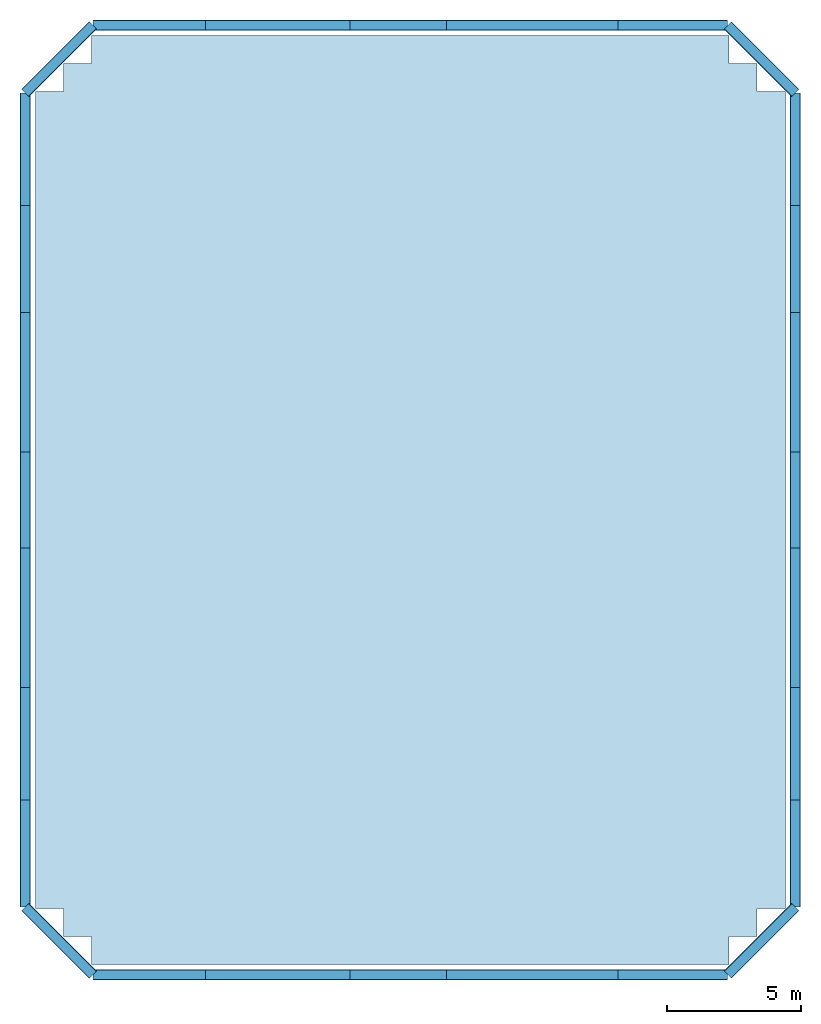
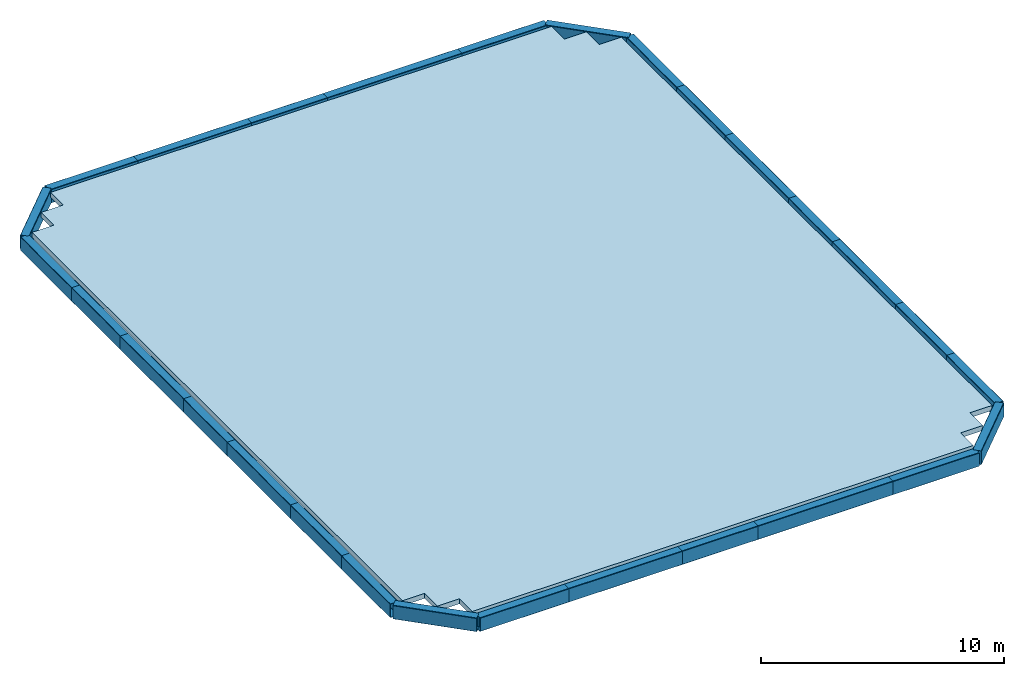
# One storey: 28 beams, 1 roof.
"""IFC4 building model written with IfcOpenShell, lengths in metres."""

from ifc_helpers import new_model, si_unit, derived_unit, direction, frame, origin, origin_2d, place, context, subcontext, project, spatial, polyline, hollow_rectangle, outline, extrude, material, layer, layer_set, material_profile, profile_set, type_object, element, save


model = new_model("IFC4")

# Units and contexts
model_context = context("Model", 3, precision=1e-05, world=origin(), true_north=direction((0.0, 1.0)))
body_context = subcontext(model_context, "Body", "Model", "MODEL_VIEW")
ifc_project = project(units=[si_unit("LENGTHUNIT", "METRE"), si_unit("AREAUNIT", "SQUARE_METRE"), si_unit("VOLUMEUNIT", "CUBIC_METRE"), si_unit("PLANEANGLEUNIT", "RADIAN"), si_unit("MASSUNIT", "GRAM", prefix="KILO"), derived_unit("THERMALTRANSMITTANCEUNIT", [(si_unit("MASSUNIT", "GRAM", prefix="KILO"), 1), (si_unit("TIMEUNIT", "SECOND"), -3), (si_unit("THERMODYNAMICTEMPERATUREUNIT", "KELVIN"), -1)])], contexts=[model_context])

# Site, building, storey
site_placement = place(None, origin())
site = spatial("IfcSite", under=ifc_project, at=site_placement, CompositionType="ELEMENT")
building_placement = place(site_placement, origin())
building = spatial("IfcBuilding", under=site, at=building_placement, Name="Korrvale Station Residences", CompositionType="ELEMENT")
storey_placement = place(building_placement, frame((0.0, 0.0, 275.0)))
storey = spatial("IfcBuildingStorey", under=building, at=storey_placement, Name="RF", CompositionType="ELEMENT", Elevation=275.0)

# Beams
ifc_material_1 = material(Name="Steel S355", Category="steel")
ifc_material_profile = material_profile(ifc_material_1, hollow_rectangle(XDim=0.39990234375, YDim=0.699951171875, WallThickness=0.02001953125, InnerFilletRadius=0.02001953125, OuterFilletRadius=0.0400390625, at=origin_2d()), Name="HSS700x400x20")
ifc_profile_set = profile_set([ifc_material_profile], Name="Steel S355")
beam_type = type_object("IfcBeamType", Name="BM-CFB-HSS700x400x20-S355", PredefinedType="USERDEFINED", material=ifc_profile_set)
beam_1_placement = place(storey_placement, frame((13.60009765625, 4.280029296875, -0.35009765625), z_axis=(1.0, 0.0, 0.0), x_axis=(0.0, 1.0, 0.0)))
element("IfcBeam", 1, at=beam_1_placement, inside=storey, type_object=beam_type, Name="Ring Crown Top Cap Beam 01", ObjectType="CROWN FRAME", PredefinedType="USERDEFINED", context=body_context, shape_type="SweptSolid", body=[
    extrude(hollow_rectangle(XDim=0.39990234375, YDim=0.699951171875, WallThickness=0.02001953125, InnerFilletRadius=0.02001953125, OuterFilletRadius=0.0400390625, at=origin_2d()), origin(), (0.0, 0.0, 1.0), 4.199951171875),
])
beam_2_placement = place(storey_placement, frame((17.800048828125, 4.280029296875, -0.35009765625), z_axis=(1.0, 0.0, 0.0), x_axis=(0.0, 1.0, 0.0)))
element("IfcBeam", 2, at=beam_2_placement, inside=storey, type_object=beam_type, Name="Ring Crown Top Cap Beam 02", ObjectType="CROWN FRAME", PredefinedType="USERDEFINED", context=body_context, shape_type="SweptSolid", body=[
    extrude(hollow_rectangle(XDim=0.39990234375, YDim=0.699951171875, WallThickness=0.02001953125, InnerFilletRadius=0.02001953125, OuterFilletRadius=0.0400390625, at=origin_2d()), origin(), (0.0, 0.0, 1.0), 5.39990234375),
])
beam_3_placement = place(storey_placement, frame((23.199951171875, 4.280029296875, -0.35009765625), z_axis=(1.0, 0.0, 0.0), x_axis=(0.0, 1.0, 0.0)))
element("IfcBeam", 3, at=beam_3_placement, inside=storey, type_object=beam_type, Name="Ring Crown Top Cap Beam 03", ObjectType="CROWN FRAME", PredefinedType="USERDEFINED", context=body_context, shape_type="SweptSolid", body=[
    extrude(hollow_rectangle(XDim=0.39990234375, YDim=0.699951171875, WallThickness=0.02001953125, InnerFilletRadius=0.02001953125, OuterFilletRadius=0.0400390625, at=origin_2d()), origin(), (0.0, 0.0, 1.0), 3.60009765625),
])
beam_4_placement = place(storey_placement, frame((26.800048828125, 4.280029296875, -0.35009765625), z_axis=(1.0, 0.0, 0.0), x_axis=(0.0, 1.0, 0.0)))
element("IfcBeam", 4, at=beam_4_placement, inside=storey, type_object=beam_type, Name="Ring Crown Top Cap Beam 04", ObjectType="CROWN FRAME", PredefinedType="USERDEFINED", context=body_context, shape_type="SweptSolid", body=[
    extrude(hollow_rectangle(XDim=0.39990234375, YDim=0.699951171875, WallThickness=0.02001953125, InnerFilletRadius=0.02001953125, OuterFilletRadius=0.0400390625, at=origin_2d()), origin(), (0.0, 0.0, 1.0), 6.39990234375),
])
beam_5_placement = place(storey_placement, frame((33.199951171875, 4.280029296875, -0.35009765625), z_axis=(1.0, 0.0, 0.0), x_axis=(0.0, 1.0, 0.0)))
element("IfcBeam", 5, at=beam_5_placement, inside=storey, type_object=beam_type, Name="Ring Crown Top Cap Beam 05", ObjectType="CROWN FRAME", PredefinedType="USERDEFINED", context=body_context, shape_type="SweptSolid", body=[
    extrude(hollow_rectangle(XDim=0.39990234375, YDim=0.699951171875, WallThickness=0.02001953125, InnerFilletRadius=0.02001953125, OuterFilletRadius=0.0400390625, at=origin_2d()), origin(), (0.0, 0.0, 1.0), 4.10009765625),
])
beam_6_placement = place(storey_placement, frame((13.60009765625, 39.719970703125, -0.35009765625), z_axis=(1.0, 0.0, 0.0), x_axis=(0.0, 1.0, 0.0)))
element("IfcBeam", 6, at=beam_6_placement, inside=storey, type_object=beam_type, Name="Ring Crown Top Cap Beam 06", ObjectType="CROWN FRAME", PredefinedType="USERDEFINED", context=body_context, shape_type="SweptSolid", body=[
    extrude(hollow_rectangle(XDim=0.39990234375, YDim=0.699951171875, WallThickness=0.02001953125, InnerFilletRadius=0.02001953125, OuterFilletRadius=0.0400390625, at=origin_2d()), origin(), (0.0, 0.0, 1.0), 4.199951171875),
])
beam_7_placement = place(storey_placement, frame((17.800048828125, 39.719970703125, -0.35009765625), z_axis=(1.0, 0.0, 0.0), x_axis=(0.0, 1.0, 0.0)))
element("IfcBeam", 7, at=beam_7_placement, inside=storey, type_object=beam_type, Name="Ring Crown Top Cap Beam 07", ObjectType="CROWN FRAME", PredefinedType="USERDEFINED", context=body_context, shape_type="SweptSolid", body=[
    extrude(hollow_rectangle(XDim=0.39990234375, YDim=0.699951171875, WallThickness=0.02001953125, InnerFilletRadius=0.02001953125, OuterFilletRadius=0.0400390625, at=origin_2d()), origin(), (0.0, 0.0, 1.0), 5.39990234375),
])
beam_8_placement = place(storey_placement, frame((23.199951171875, 39.719970703125, -0.35009765625), z_axis=(1.0, 0.0, 0.0), x_axis=(0.0, 1.0, 0.0)))
element("IfcBeam", 8, at=beam_8_placement, inside=storey, type_object=beam_type, Name="Ring Crown Top Cap Beam 08", ObjectType="CROWN FRAME", PredefinedType="USERDEFINED", context=body_context, shape_type="SweptSolid", body=[
    extrude(hollow_rectangle(XDim=0.39990234375, YDim=0.699951171875, WallThickness=0.02001953125, InnerFilletRadius=0.02001953125, OuterFilletRadius=0.0400390625, at=origin_2d()), origin(), (0.0, 0.0, 1.0), 3.60009765625),
])
beam_9_placement = place(storey_placement, frame((26.800048828125, 39.719970703125, -0.35009765625), z_axis=(1.0, 0.0, 0.0), x_axis=(0.0, 1.0, 0.0)))
element("IfcBeam", 9, at=beam_9_placement, inside=storey, type_object=beam_type, Name="Ring Crown Top Cap Beam 09", ObjectType="CROWN FRAME", PredefinedType="USERDEFINED", context=body_context, shape_type="SweptSolid", body=[
    extrude(hollow_rectangle(XDim=0.39990234375, YDim=0.699951171875, WallThickness=0.02001953125, InnerFilletRadius=0.02001953125, OuterFilletRadius=0.0400390625, at=origin_2d()), origin(), (0.0, 0.0, 1.0), 6.39990234375),
])
beam_10_placement = place(storey_placement, frame((33.199951171875, 39.719970703125, -0.35009765625), z_axis=(1.0, 0.0, 0.0), x_axis=(0.0, 1.0, 0.0)))
element("IfcBeam", 10, at=beam_10_placement, inside=storey, type_object=beam_type, Name="Ring Crown Top Cap Beam 10", ObjectType="CROWN FRAME", PredefinedType="USERDEFINED", context=body_context, shape_type="SweptSolid", body=[
    extrude(hollow_rectangle(XDim=0.39990234375, YDim=0.699951171875, WallThickness=0.02001953125, InnerFilletRadius=0.02001953125, OuterFilletRadius=0.0400390625, at=origin_2d()), origin(), (0.0, 0.0, 1.0), 4.10009765625),
])
beam_11_placement = place(storey_placement, frame((11.080078125, 6.800048828125, -0.35009765625), z_axis=(0.0, 1.0, 0.0), x_axis=(-1.0, 0.0, 0.0)))
element("IfcBeam", 11, at=beam_11_placement, inside=storey, type_object=beam_type, Name="Ring Crown Top Cap Beam 11", ObjectType="CROWN FRAME", PredefinedType="USERDEFINED", context=body_context, shape_type="SweptSolid", body=[
    extrude(hollow_rectangle(XDim=0.39990234375, YDim=0.699951171875, WallThickness=0.02001953125, InnerFilletRadius=0.02001953125, OuterFilletRadius=0.0400390625, at=origin_2d()), origin(), (0.0, 0.0, 1.0), 4.0),
])
beam_12_placement = place(storey_placement, frame((11.080078125, 10.800048828125, -0.35009765625), z_axis=(0.0, 1.0, 0.0), x_axis=(-1.0, 0.0, 0.0)))
element("IfcBeam", 12, at=beam_12_placement, inside=storey, type_object=beam_type, Name="Ring Crown Top Cap Beam 12", ObjectType="CROWN FRAME", PredefinedType="USERDEFINED", context=body_context, shape_type="SweptSolid", body=[
    extrude(hollow_rectangle(XDim=0.39990234375, YDim=0.699951171875, WallThickness=0.02001953125, InnerFilletRadius=0.02001953125, OuterFilletRadius=0.0400390625, at=origin_2d()), origin(), (0.0, 0.0, 1.0), 4.199951171875),
])
beam_13_placement = place(storey_placement, frame((11.080078125, 15.0, -0.35009765625), z_axis=(0.0, 1.0, 0.0), x_axis=(-1.0, 0.0, 0.0)))
element("IfcBeam", 13, at=beam_13_placement, inside=storey, type_object=beam_type, Name="Ring Crown Top Cap Beam 13", ObjectType="CROWN FRAME", PredefinedType="USERDEFINED", context=body_context, shape_type="SweptSolid", body=[
    extrude(hollow_rectangle(XDim=0.39990234375, YDim=0.699951171875, WallThickness=0.02001953125, InnerFilletRadius=0.02001953125, OuterFilletRadius=0.0400390625, at=origin_2d()), origin(), (0.0, 0.0, 1.0), 5.199951171875),
])
beam_14_placement = place(storey_placement, frame((11.080078125, 20.199951171875, -0.35009765625), z_axis=(0.0, 1.0, 0.0), x_axis=(-1.0, 0.0, 0.0)))
element("IfcBeam", 14, at=beam_14_placement, inside=storey, type_object=beam_type, Name="Ring Crown Top Cap Beam 14", ObjectType="CROWN FRAME", PredefinedType="USERDEFINED", context=body_context, shape_type="SweptSolid", body=[
    extrude(hollow_rectangle(XDim=0.39990234375, YDim=0.699951171875, WallThickness=0.02001953125, InnerFilletRadius=0.02001953125, OuterFilletRadius=0.0400390625, at=origin_2d()), origin(), (0.0, 0.0, 1.0), 3.60009765625),
])
beam_15_placement = place(storey_placement, frame((11.080078125, 23.800048828125, -0.35009765625), z_axis=(0.0, 1.0, 0.0), x_axis=(-1.0, 0.0, 0.0)))
element("IfcBeam", 15, at=beam_15_placement, inside=storey, type_object=beam_type, Name="Ring Crown Top Cap Beam 15", ObjectType="CROWN FRAME", PredefinedType="USERDEFINED", context=body_context, shape_type="SweptSolid", body=[
    extrude(hollow_rectangle(XDim=0.39990234375, YDim=0.699951171875, WallThickness=0.02001953125, InnerFilletRadius=0.02001953125, OuterFilletRadius=0.0400390625, at=origin_2d()), origin(), (0.0, 0.0, 1.0), 5.199951171875),
])
beam_16_placement = place(storey_placement, frame((11.080078125, 29.0, -0.35009765625), z_axis=(0.0, 1.0, 0.0), x_axis=(-1.0, 0.0, 0.0)))
element("IfcBeam", 16, at=beam_16_placement, inside=storey, type_object=beam_type, Name="Ring Crown Top Cap Beam 16", ObjectType="CROWN FRAME", PredefinedType="USERDEFINED", context=body_context, shape_type="SweptSolid", body=[
    extrude(hollow_rectangle(XDim=0.39990234375, YDim=0.699951171875, WallThickness=0.02001953125, InnerFilletRadius=0.02001953125, OuterFilletRadius=0.0400390625, at=origin_2d()), origin(), (0.0, 0.0, 1.0), 4.0),
])
beam_17_placement = place(storey_placement, frame((11.080078125, 33.0, -0.35009765625), z_axis=(0.0, 1.0, 0.0), x_axis=(-1.0, 0.0, 0.0)))
element("IfcBeam", 17, at=beam_17_placement, inside=storey, type_object=beam_type, Name="Ring Crown Top Cap Beam 17", ObjectType="CROWN FRAME", PredefinedType="USERDEFINED", context=body_context, shape_type="SweptSolid", body=[
    extrude(hollow_rectangle(XDim=0.39990234375, YDim=0.699951171875, WallThickness=0.02001953125, InnerFilletRadius=0.02001953125, OuterFilletRadius=0.0400390625, at=origin_2d()), origin(), (0.0, 0.0, 1.0), 4.199951171875),
])
beam_18_placement = place(storey_placement, frame((39.820068359375, 6.800048828125, -0.35009765625), z_axis=(0.0, 1.0, 0.0), x_axis=(-1.0, 0.0, 0.0)))
element("IfcBeam", 18, at=beam_18_placement, inside=storey, type_object=beam_type, Name="Ring Crown Top Cap Beam 18", ObjectType="CROWN FRAME", PredefinedType="USERDEFINED", context=body_context, shape_type="SweptSolid", body=[
    extrude(hollow_rectangle(XDim=0.39990234375, YDim=0.699951171875, WallThickness=0.02001953125, InnerFilletRadius=0.02001953125, OuterFilletRadius=0.0400390625, at=origin_2d()), origin(), (0.0, 0.0, 1.0), 4.0),
])
beam_19_placement = place(storey_placement, frame((39.820068359375, 10.800048828125, -0.35009765625), z_axis=(0.0, 1.0, 0.0), x_axis=(-1.0, 0.0, 0.0)))
element("IfcBeam", 19, at=beam_19_placement, inside=storey, type_object=beam_type, Name="Ring Crown Top Cap Beam 19", ObjectType="CROWN FRAME", PredefinedType="USERDEFINED", context=body_context, shape_type="SweptSolid", body=[
    extrude(hollow_rectangle(XDim=0.39990234375, YDim=0.699951171875, WallThickness=0.02001953125, InnerFilletRadius=0.02001953125, OuterFilletRadius=0.0400390625, at=origin_2d()), origin(), (0.0, 0.0, 1.0), 4.199951171875),
])
beam_20_placement = place(storey_placement, frame((39.820068359375, 15.0, -0.35009765625), z_axis=(0.0, 1.0, 0.0), x_axis=(-1.0, 0.0, 0.0)))
element("IfcBeam", 20, at=beam_20_placement, inside=storey, type_object=beam_type, Name="Ring Crown Top Cap Beam 20", ObjectType="CROWN FRAME", PredefinedType="USERDEFINED", context=body_context, shape_type="SweptSolid", body=[
    extrude(hollow_rectangle(XDim=0.39990234375, YDim=0.699951171875, WallThickness=0.02001953125, InnerFilletRadius=0.02001953125, OuterFilletRadius=0.0400390625, at=origin_2d()), origin(), (0.0, 0.0, 1.0), 5.199951171875),
])
beam_21_placement = place(storey_placement, frame((39.820068359375, 20.199951171875, -0.35009765625), z_axis=(0.0, 1.0, 0.0), x_axis=(-1.0, 0.0, 0.0)))
element("IfcBeam", 21, at=beam_21_placement, inside=storey, type_object=beam_type, Name="Ring Crown Top Cap Beam 21", ObjectType="CROWN FRAME", PredefinedType="USERDEFINED", context=body_context, shape_type="SweptSolid", body=[
    extrude(hollow_rectangle(XDim=0.39990234375, YDim=0.699951171875, WallThickness=0.02001953125, InnerFilletRadius=0.02001953125, OuterFilletRadius=0.0400390625, at=origin_2d()), origin(), (0.0, 0.0, 1.0), 3.60009765625),
])
beam_22_placement = place(storey_placement, frame((39.820068359375, 23.800048828125, -0.35009765625), z_axis=(0.0, 1.0, 0.0), x_axis=(-1.0, 0.0, 0.0)))
element("IfcBeam", 22, at=beam_22_placement, inside=storey, type_object=beam_type, Name="Ring Crown Top Cap Beam 22", ObjectType="CROWN FRAME", PredefinedType="USERDEFINED", context=body_context, shape_type="SweptSolid", body=[
    extrude(hollow_rectangle(XDim=0.39990234375, YDim=0.699951171875, WallThickness=0.02001953125, InnerFilletRadius=0.02001953125, OuterFilletRadius=0.0400390625, at=origin_2d()), origin(), (0.0, 0.0, 1.0), 5.199951171875),
])
beam_23_placement = place(storey_placement, frame((39.820068359375, 29.0, -0.35009765625), z_axis=(0.0, 1.0, 0.0), x_axis=(-1.0, 0.0, 0.0)))
element("IfcBeam", 23, at=beam_23_placement, inside=storey, type_object=beam_type, Name="Ring Crown Top Cap Beam 23", ObjectType="CROWN FRAME", PredefinedType="USERDEFINED", context=body_context, shape_type="SweptSolid", body=[
    extrude(hollow_rectangle(XDim=0.39990234375, YDim=0.699951171875, WallThickness=0.02001953125, InnerFilletRadius=0.02001953125, OuterFilletRadius=0.0400390625, at=origin_2d()), origin(), (0.0, 0.0, 1.0), 4.0),
])
beam_24_placement = place(storey_placement, frame((39.820068359375, 33.0, -0.35009765625), z_axis=(0.0, 1.0, 0.0), x_axis=(-1.0, 0.0, 0.0)))
element("IfcBeam", 24, at=beam_24_placement, inside=storey, type_object=beam_type, Name="Ring Crown Top Cap Beam 24", ObjectType="CROWN FRAME", PredefinedType="USERDEFINED", context=body_context, shape_type="SweptSolid", body=[
    extrude(hollow_rectangle(XDim=0.39990234375, YDim=0.699951171875, WallThickness=0.02001953125, InnerFilletRadius=0.02001953125, OuterFilletRadius=0.0400390625, at=origin_2d()), origin(), (0.0, 0.0, 1.0), 4.199951171875),
])
for number, where, z_axis, x_axis, name in (
    (25, (13.60009765625, 4.280029296875, -0.35009765625), (-0.707106781187, 0.707106781187, 0.0), (-0.707106781187, -0.707106781187, 0.0), "Ring Crown Top Cap Beam 25"),
    (26, (37.300048828125, 4.280029296875, -0.35009765625), (0.707106781187, 0.707106781187, 0.0), (-0.707106781187, 0.707106781187, 0.0), "Ring Crown Top Cap Beam 26"),
    (27, (37.300048828125, 39.719970703125, -0.35009765625), (0.707106781187, -0.707106781187, 0.0), (0.707106781187, 0.707106781187, 0.0), "Ring Crown Top Cap Beam 27"),
    (28, (13.60009765625, 39.719970703125, -0.35009765625), (-0.707106781187, -0.707106781187, 0.0), (0.707106781187, -0.707106781187, 0.0), "Ring Crown Top Cap Beam 28"),
):
    element("IfcBeam", number, at=place(storey_placement, frame(where, z_axis=z_axis, x_axis=x_axis)), inside=storey, type_object=beam_type, Name=name, ObjectType="CROWN FRAME", PredefinedType="USERDEFINED", context=body_context, shape_type="SweptSolid", body=[
        extrude(hollow_rectangle(XDim=0.39990234375, YDim=0.699951171875, WallThickness=0.02001953125, InnerFilletRadius=0.02001953125, OuterFilletRadius=0.0400390625, at=origin_2d()), origin(), (0.0, 0.0, 1.0), 3.56396484375),
    ])

# Roof
ifc_material_2 = material(Name="Concrete C50/60", Category="concrete")
ifc_layer = layer(ifc_material_2, 0.25, Name="Concrete C50/60")
ifc_layer_set = layer_set([ifc_layer], Name="Concrete C50/60")
roof_type = type_object("IfcRoofType", Name="ROOF-FLAT-250", PredefinedType="FLAT_ROOF", material=ifc_layer_set)
roof_placement = place(storey_placement, frame((0.0, 0.0, -0.25)))
element("IfcRoof", 29, at=roof_placement, inside=storey, type_object=roof_type, Name="Closed-Centre Ring Crown Flat Roof Assembly", PredefinedType="FLAT_ROOF", context=body_context, shape_type="SweptSolid", body=[
    extrude(outline(polyline([(13.550048828125, 4.64990234375), (37.35009765625, 4.64990234375), (37.35009765625, 5.699951171875), (38.39990234375, 5.699951171875), (38.39990234375, 6.75), (39.449951171875, 6.75), (39.449951171875, 37.25), (38.39990234375, 37.25), (38.39990234375, 38.300048828125), (37.35009765625, 38.300048828125), (37.35009765625, 39.35009765625), (13.550048828125, 39.35009765625), (13.550048828125, 38.300048828125), (12.5, 38.300048828125), (12.5, 37.25), (11.449951171875, 37.25), (11.449951171875, 6.75), (12.5, 6.75), (12.5, 5.699951171875), (13.550048828125, 5.699951171875), (13.550048828125, 4.64990234375)])), origin(), (0.0, 0.0, 1.0), 0.25),
])

save(model, "model.ifc")
